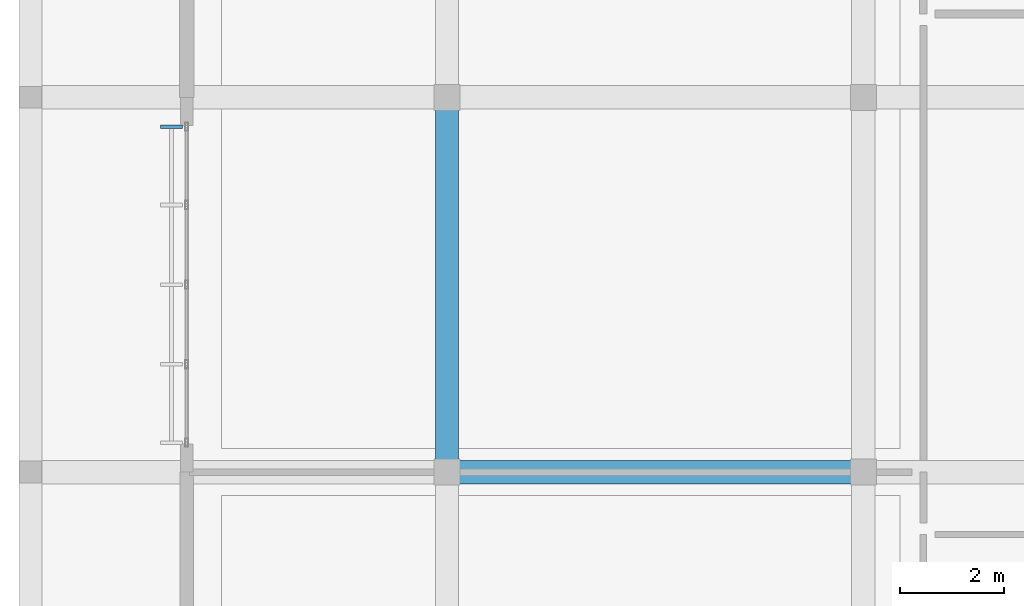
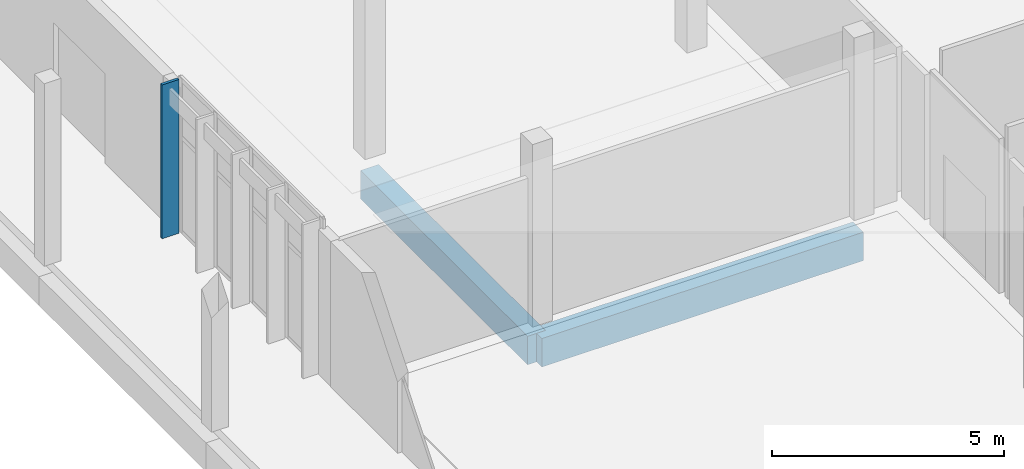
# One storey, part 47 of 151: 2 beams, 1 member, 1 element without a shape of its own.
"""IFC4 building model written with IfcOpenShell, lengths in metres."""

from ifc_helpers import new_model, si_unit, direction, frame, origin, origin_2d, place, context, subcontext, project, spatial, rectangle, extrude, material, material_profile, profile_set, type_object, element, aggregate, save


model = new_model("IFC4")

# Units and contexts
model_context = context("Model", 3, precision=1e-05, world=origin(), true_north=direction((0.0, 1.0)))
body_context = subcontext(model_context, "Body", "Model", "MODEL_VIEW")
ifc_project = project(units=[si_unit("LENGTHUNIT", "METRE"), si_unit("AREAUNIT", "SQUARE_METRE"), si_unit("VOLUMEUNIT", "CUBIC_METRE"), si_unit("PLANEANGLEUNIT", "RADIAN"), si_unit("MASSUNIT", "GRAM", prefix="KILO")], contexts=[model_context])

# Site, building, storey
site_placement = place(None, origin())
site = spatial("IfcSite", under=ifc_project, at=site_placement, CompositionType="ELEMENT")
building_placement = place(site_placement, origin())
building = spatial("IfcBuilding", under=site, at=building_placement, Name="Chiffa Square Polytechnic", CompositionType="ELEMENT")
storey_placement = place(building_placement, origin())
storey = spatial("IfcBuildingStorey", under=building, at=storey_placement, Name="L00", CompositionType="ELEMENT", Elevation=0.0)

# Curtain wall, member
ifc_material_1 = material(Name="Aluminium EN AW-6060 T66 and glulam shading", Category="wood")
curtain_wall_type = type_object("IfcCurtainWallType", Name="CW-VERT-600X380", PredefinedType="USERDEFINED", material=ifc_material_1)
curtain_wall_placement = place(storey_placement, origin())
curtain_wall = element("IfcCurtainWall", 1, at=curtain_wall_placement, inside=storey, type_object=curtain_wall_type, Name="Curtain wall CW-V6-L00-252", ObjectType="CURTAIN WALL", PredefinedType="USERDEFINED")
ifc_material_2 = material(Name="Glulam GL28h", Category="wood")
ifc_material_profile_1 = material_profile(ifc_material_2, rectangle(XDim=0.070068359375, YDim=0.419921875, at=origin_2d()), Name="GL28h 70x420")
ifc_profile_set_1 = profile_set([ifc_material_profile_1], Name="Glulam GL28h")
member_type = type_object("IfcMemberType", Name="CWM-GL-70X420", PredefinedType="MULLION", material=ifc_profile_set_1)
member_placement = place(storey_placement, frame((2.7080078125, 72.034912109375, 0.010009765625), z_axis=(0.0, 0.0, 1.0), x_axis=(0.0, -1.0, 0.0)))
member = element("IfcMember", 2, at=member_placement, type_object=member_type, Name="Exterior glulam solar fin CW-V6-L00-252-FN00", PredefinedType="MULLION", context=body_context, shape_type="SweptSolid", body=[
    extrude(rectangle(XDim=0.070068359375, YDim=0.419921875, at=origin_2d()), origin(), (0.0, 0.0, 1.0), 4.044921875),
])
aggregate(curtain_wall, [member])

# Beams
ifc_material_3 = material(Name="Concrete C35/45", Category="concrete")
ifc_material_profile_2 = material_profile(ifc_material_3, rectangle(XDim=0.449951171875, YDim=0.75, at=origin_2d()), Name="RC 450x750")
ifc_profile_set_2 = profile_set([ifc_material_profile_2], Name="Concrete C35/45")
beam_type = type_object("IfcBeamType", Name="GB-RC-450X750", PredefinedType="BEAM", material=ifc_profile_set_2)
beam_1_placement = place(storey_placement, frame((8.0, 65.39990234375, -0.77490234375), z_axis=(1.0, 0.0, 0.0), x_axis=(0.0, 1.0, 0.0)))
element("IfcBeam", 3, at=beam_1_placement, inside=storey, type_object=beam_type, Name="Ground tie beam GB-V6-X-170", PredefinedType="BEAM", context=body_context, shape_type="SweptSolid", body=[
    extrude(rectangle(XDim=0.449951171875, YDim=0.75, at=origin_2d()), origin(), (0.0, 0.0, 1.0), 8.0),
])
beam_2_placement = place(storey_placement, frame((8.0, 65.39990234375, -0.77490234375), z_axis=(0.0, 1.0, 0.0), x_axis=(-1.0, 0.0, 0.0)))
element("IfcBeam", 4, at=beam_2_placement, inside=storey, type_object=beam_type, Name="Ground tie beam GB-V6-Y-207", PredefinedType="BEAM", context=body_context, shape_type="SweptSolid", body=[
    extrude(rectangle(XDim=0.449951171875, YDim=0.75, at=origin_2d()), origin(), (0.0, 0.0, 1.0), 7.2001953125),
])

save(model, "model.ifc")
